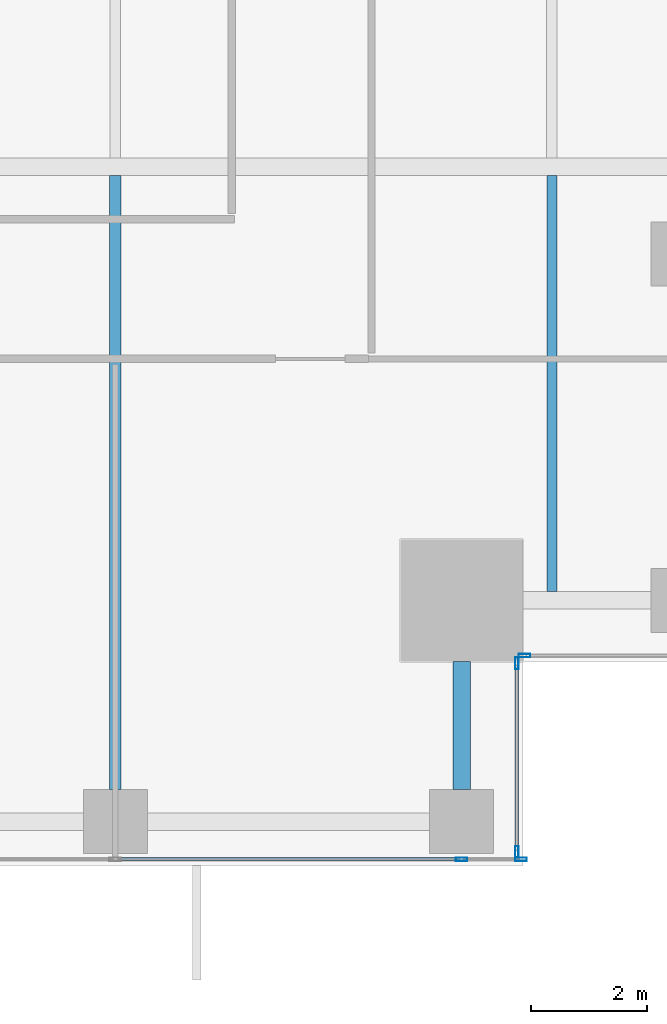
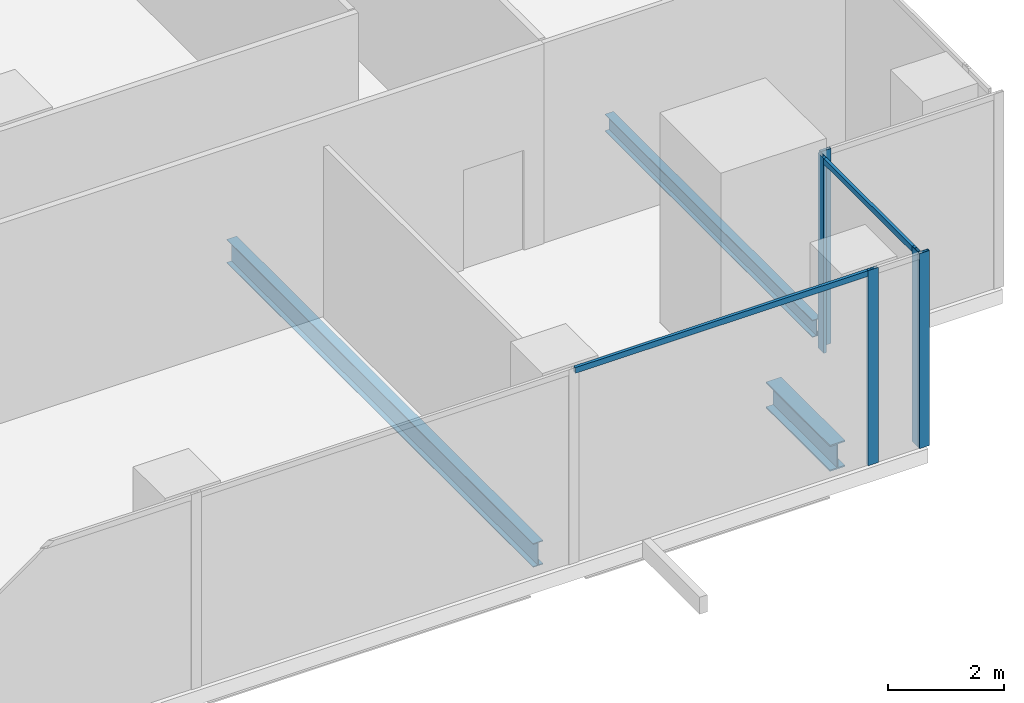
# One storey, part 10 of 34: 7 members, 3 beams, 3 elements without a shape of their own.
"""IFC4 building model written with IfcOpenShell, lengths in metres."""

from ifc_helpers import new_model, si_unit, direction, frame, origin, origin_2d, place, context, subcontext, project, spatial, hollow_rectangle, i_section, extrude, source, transform, mapped, material, material_profile, profile_set, type_object, element, aggregate, save


model = new_model("IFC4")

# Units and contexts
model_context = context("Model", 3, precision=1e-05, world=origin(), true_north=direction((0.0, 1.0)))
body_context = subcontext(model_context, "Body", "Model", "MODEL_VIEW")
ifc_project = project(units=[si_unit("LENGTHUNIT", "METRE"), si_unit("AREAUNIT", "SQUARE_METRE"), si_unit("VOLUMEUNIT", "CUBIC_METRE"), si_unit("PLANEANGLEUNIT", "RADIAN"), si_unit("MASSUNIT", "GRAM", prefix="KILO")], contexts=[model_context])

# Site, building, storey
site_placement = place(None, origin())
site = spatial("IfcSite", under=ifc_project, at=site_placement, CompositionType="ELEMENT")
building_placement = place(site_placement, origin())
building = spatial("IfcBuilding", under=site, at=building_placement, Name="Khomas Fold Tower", CompositionType="ELEMENT")
storey_placement = place(building_placement, frame((0.0, 0.0, 123.5)))
storey = spatial("IfcBuildingStorey", under=building, at=storey_placement, Name="L26", CompositionType="ELEMENT", Elevation=123.5)

# Beams
ifc_material_1 = material(Name="Steel S355", Category="steel")
ifc_material_profile_1 = material_profile(ifc_material_1, i_section(OverallWidth=0.169921875, OverallDepth=0.360107421875, WebThickness=0.008056640625, FlangeThickness=0.0126953125, at=origin_2d()), Name="IPE 360")
ifc_profile_set_1 = profile_set([ifc_material_profile_1], Name="Steel S355")
beam_type_1 = type_object("IfcBeamType", Name="IPE 360 beam JB2", PredefinedType="BEAM", material=ifc_profile_set_1)
shared_shape_1 = source(origin(), body_context, "Body", "SweptSolid", [
    extrude(i_section(OverallWidth=0.169921875, OverallDepth=0.360107421875, WebThickness=0.008056640625, FlangeThickness=0.0126953125, at=origin_2d()), origin(), (0.0, 0.0, 1.0), 7.150146484375),
])
beam_1_placement = place(storey_placement, frame((49.5, 6.199951171875, -0.47998046875), z_axis=(0.0, 1.0, 0.0), x_axis=(-1.0, 0.0, 0.0)))
element("IfcBeam", 1, at=beam_1_placement, inside=storey, type_object=beam_type_1, Name="JB2", PredefinedType="BEAM", context=body_context, shape_type="MappedRepresentation", body=[
    mapped(shared_shape_1, transform((0.0, 0.0, 0.0))),
])
ifc_material_2 = material(Name="Steel S355", Category="steel")
ifc_material_profile_2 = material_profile(ifc_material_2, i_section(OverallWidth=0.300048828125, OverallDepth=0.550048828125, WebThickness=0.014892578125, FlangeThickness=0.029052734375, at=origin_2d()), Name="HE 550 B")
ifc_profile_set_2 = profile_set([ifc_material_profile_2], Name="Steel S355")
beam_type_2 = type_object("IfcBeamType", Name="HE 550 B spandrel SB2", PredefinedType="SPANDREL", material=ifc_profile_set_2)
shared_shape_2 = source(origin(), body_context, "Body", "SweptSolid", [
    extrude(i_section(OverallWidth=0.300048828125, OverallDepth=0.550048828125, WebThickness=0.014892578125, FlangeThickness=0.029052734375, at=origin_2d()), origin(), (0.0, 0.0, 1.0), 2.199951171875),
])
beam_2_placement = place(storey_placement, frame((47.949951171875, 2.800048828125, -0.574951171875), z_axis=(0.0, 1.0, 0.0), x_axis=(-1.0, 0.0, 0.0)))
element("IfcBeam", 2, at=beam_2_placement, inside=storey, type_object=beam_type_2, Name="SB2", PredefinedType="SPANDREL", context=body_context, shape_type="MappedRepresentation", body=[
    mapped(shared_shape_2, transform((0.0, 0.0, 0.0))),
])
ifc_material_3 = material(Name="Steel S355", Category="steel")
ifc_material_profile_3 = material_profile(ifc_material_3, i_section(OverallWidth=0.199951171875, OverallDepth=0.5, WebThickness=0.01025390625, FlangeThickness=0.01611328125, at=origin_2d()), Name="IPE 500")
ifc_profile_set_3 = profile_set([ifc_material_profile_3], Name="Steel S355")
beam_type_3 = type_object("IfcBeamType", Name="IPE 500 beam JB5", PredefinedType="BEAM", material=ifc_profile_set_3)
shared_shape_3 = source(origin(), body_context, "Body", "SweptSolid", [
    extrude(i_section(OverallWidth=0.199951171875, OverallDepth=0.5, WebThickness=0.01025390625, FlangeThickness=0.01611328125, at=origin_2d()), origin(), (0.0, 0.0, 1.0), 10.550048828125),
])
beam_3_placement = place(storey_placement, frame((42.0, 2.800048828125, -0.550048828125), z_axis=(0.0, 1.0, 0.0), x_axis=(-1.0, 0.0, 0.0)))
element("IfcBeam", 3, at=beam_3_placement, inside=storey, type_object=beam_type_3, Name="JB5", PredefinedType="BEAM", context=body_context, shape_type="MappedRepresentation", body=[
    mapped(shared_shape_3, transform((0.0, 0.0, 0.0))),
])

# Curtain wall, members
ifc_material_4 = material(Name="Aluminium framed double glazing", Category="aluminium")
curtain_wall_type = type_object("IfcCurtainWallType", Name="SK-Unitised clear-glass wall, growing floors CW1", PredefinedType="NOTDEFINED", material=ifc_material_4)
curtain_wall_1_placement = place(storey_placement, origin())
curtain_wall_1 = element("IfcCurtainWall", 4, at=curtain_wall_1_placement, inside=storey, type_object=curtain_wall_type, Name="CW1 run L26 00-0", PredefinedType="NOTDEFINED")
ifc_material_5 = material(Name="Aluminium", Category="aluminium")
ifc_material_profile_4 = material_profile(ifc_material_5, hollow_rectangle(XDim=0.06005859375, YDim=0.199951171875, WallThickness=0.00390625, at=origin_2d()), Name="SK-Unitised clear-glass wall, growing floors mullion CW1-M")
ifc_profile_set_4 = profile_set([ifc_material_profile_4], Name="Aluminium")
member_type_1 = type_object("IfcMemberType", Name="SK-Unitised clear-glass wall, growing floors mullion CW1-M", PredefinedType="MULLION", material=ifc_profile_set_4)
shared_shape_4 = source(origin(), body_context, "Body", "SweptSolid", [
    extrude(hollow_rectangle(XDim=0.06005859375, YDim=0.199951171875, WallThickness=0.00390625, at=origin_2d()), origin(), (0.0, 0.0, 1.0), 4.10009765625),
])
member_1_placement = place(storey_placement, frame((47.949951171875, 1.60009765625, 0.0), z_axis=(0.0, 0.0, 1.0), x_axis=(0.0, 1.0, 0.0)))
member_1 = element("IfcMember", 5, at=member_1_placement, type_object=member_type_1, Name="CW1 mullion 8", PredefinedType="MULLION", context=body_context, shape_type="MappedRepresentation", body=[
    mapped(shared_shape_4, transform((0.0, 0.0, 0.0))),
])
member_2_placement = place(storey_placement, frame((48.969970703125, 1.60009765625, 0.0), z_axis=(0.0, 0.0, 1.0), x_axis=(0.0, 1.0, 0.0)))
member_2 = element("IfcMember", 6, at=member_2_placement, type_object=member_type_1, Name="CW1 mullion 9", PredefinedType="MULLION", context=body_context, shape_type="MappedRepresentation", body=[
    mapped(shared_shape_4, transform((0.0, 0.0, 0.0))),
])

curtain_wall_2_placement = place(storey_placement, origin())
curtain_wall_2 = element("IfcCurtainWall", 7, at=curtain_wall_2_placement, inside=storey, type_object=curtain_wall_type, Name="CW1 corner return L26 01", PredefinedType="NOTDEFINED")
member_3_placement = place(storey_placement, frame((48.89990234375, 1.72998046875, 0.0), z_axis=(0.0, 0.0, 1.0), x_axis=(-1.0, 0.0, 0.0)))
member_3 = element("IfcMember", 8, at=member_3_placement, type_object=member_type_1, Name="CW1 mullion 1", PredefinedType="MULLION", context=body_context, shape_type="MappedRepresentation", body=[
    mapped(shared_shape_4, transform((0.0, 0.0, 0.0))),
])
member_4_placement = place(storey_placement, frame((48.89990234375, 4.969970703125, 0.0), z_axis=(0.0, 0.0, 1.0), x_axis=(-1.0, 0.0, 0.0)))
member_4 = element("IfcMember", 9, at=member_4_placement, type_object=member_type_1, Name="CW1 mullion 2", PredefinedType="MULLION", context=body_context, shape_type="MappedRepresentation", body=[
    mapped(shared_shape_4, transform((0.0, 0.0, 0.0))),
])

# Curtain wall, member
curtain_wall_3_placement = place(storey_placement, origin())
curtain_wall_3 = element("IfcCurtainWall", 10, at=curtain_wall_3_placement, inside=storey, type_object=curtain_wall_type, Name="CW1 corner return L26 02", PredefinedType="NOTDEFINED")
member_5_placement = place(storey_placement, frame((49.030029296875, 5.10009765625, 0.0), z_axis=(0.0, 0.0, 1.0), x_axis=(0.0, 1.0, 0.0)))
member_5 = element("IfcMember", 11, at=member_5_placement, type_object=member_type_1, Name="CW1 mullion 1", PredefinedType="MULLION", context=body_context, shape_type="MappedRepresentation", body=[
    mapped(shared_shape_4, transform((0.0, 0.0, 0.0))),
])
aggregate(curtain_wall_3, [member_5])

# Member
ifc_material_6 = material(Name="Aluminium", Category="aluminium")
ifc_material_profile_5 = material_profile(ifc_material_6, hollow_rectangle(XDim=0.06005859375, YDim=0.1201171875, WallThickness=0.00390625, at=origin_2d()), Name="SK-Unitised clear-glass wall, growing floors transom CW1-T")
ifc_profile_set_5 = profile_set([ifc_material_profile_5], Name="Aluminium")
member_type_2 = type_object("IfcMemberType", Name="SK-Unitised clear-glass wall, growing floors transom CW1-T", PredefinedType="USERDEFINED", material=ifc_profile_set_5)
shared_shape_5 = source(origin(), body_context, "Body", "SweptSolid", [
    extrude(hollow_rectangle(XDim=0.06005859375, YDim=0.1201171875, WallThickness=0.00390625, at=origin_2d()), origin(), (0.0, 0.0, 1.0), 5.889892578125),
])
member_6_placement = place(storey_placement, frame((42.030029296875, 1.60009765625, 4.0400390625), z_axis=(1.0, 0.0, 0.0), x_axis=(0.0, 1.0, 0.0)))
member_6 = element("IfcMember", 12, at=member_6_placement, type_object=member_type_2, Name="CW1 transom 7", ObjectType="TRANSOM", PredefinedType="USERDEFINED", context=body_context, shape_type="MappedRepresentation", body=[
    mapped(shared_shape_5, transform((0.0, 0.0, 0.0))),
])

aggregate(curtain_wall_1, [member_1, member_2, member_6])

shared_shape_6 = source(origin(), body_context, "Body", "SweptSolid", [
    extrude(hollow_rectangle(XDim=0.06005859375, YDim=0.1201171875, WallThickness=0.00390625, at=origin_2d()), origin(), (0.0, 0.0, 1.0), 3.179931640625),
])
member_7_placement = place(storey_placement, frame((48.89990234375, 1.760009765625, 4.0400390625), z_axis=(0.0, 1.0, 0.0), x_axis=(-1.0, 0.0, 0.0)))
member_7 = element("IfcMember", 13, at=member_7_placement, type_object=member_type_2, Name="CW1 transom 1", ObjectType="TRANSOM", PredefinedType="USERDEFINED", context=body_context, shape_type="MappedRepresentation", body=[
    mapped(shared_shape_6, transform((0.0, 0.0, 0.0))),
])

aggregate(curtain_wall_2, [member_3, member_4, member_7])

save(model, "model.ifc")
